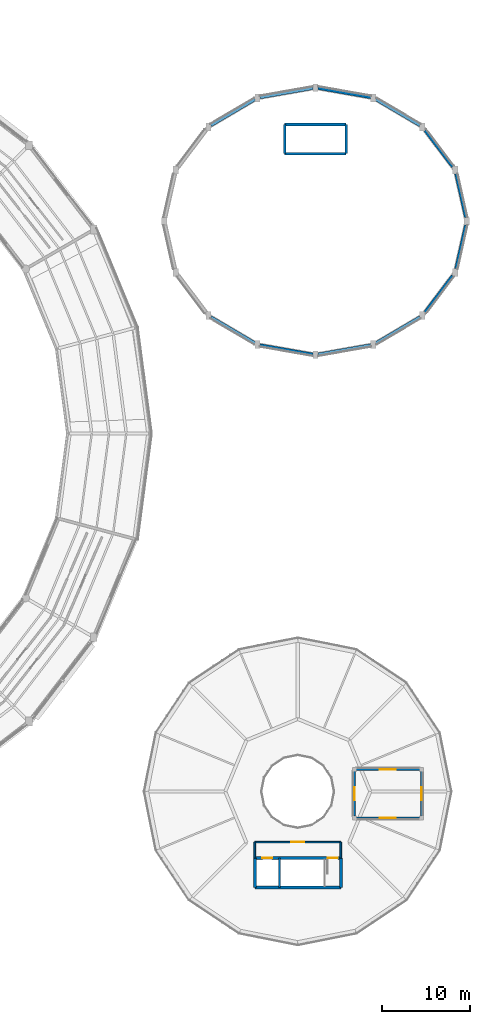
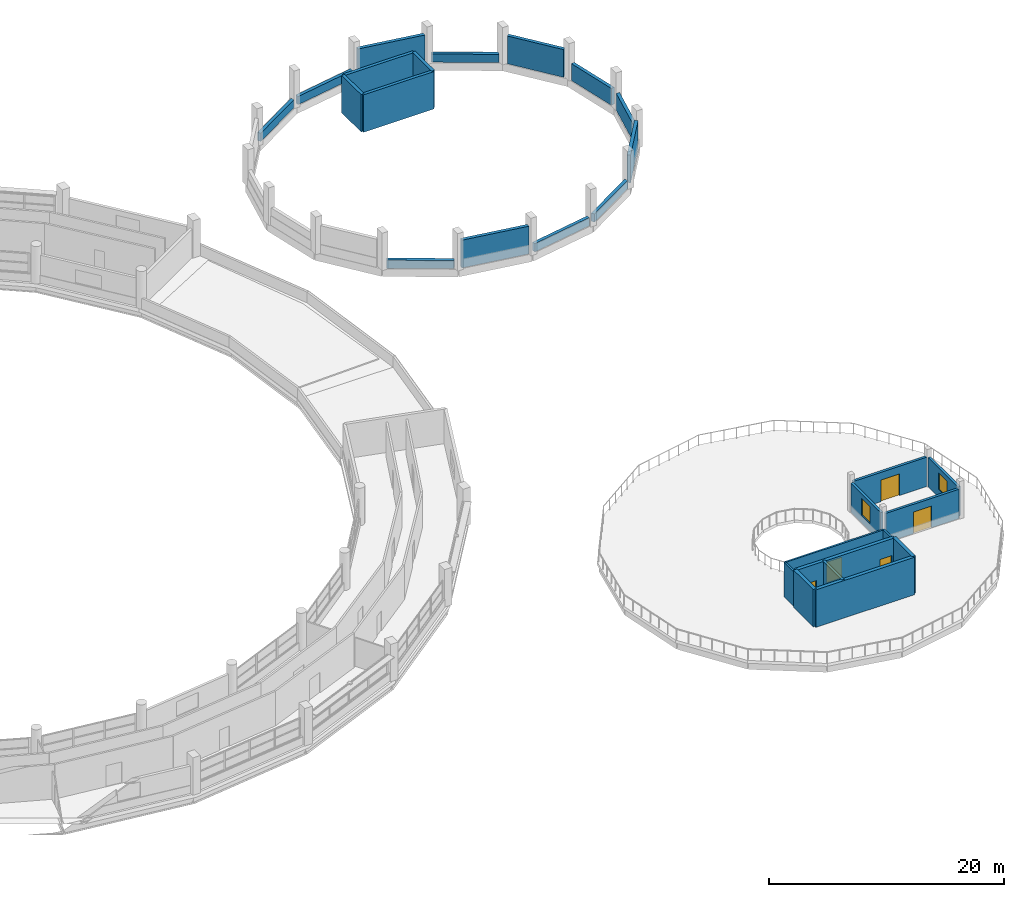
# One storey, part 96 of 108: 28 walls, 5 doors, 2 windows, 7 openings.
"""IFC4 building model written with IfcOpenShell, lengths in metres."""

import ifcopenshell
import ifcopenshell.guid

model = None  # the IFC model being written
_history = None  # IfcOwnerHistory: only IFC2X3 demands one
_inside = {}  # id of a spatial element -> (the spatial element, [elements in it])
_under = {}  # id of a project, library or spatial element -> (it, [spatial elements below it])
_declared = {}  # id of a project -> (the project, [libraries it declares])
_typed = {}  # id of a type object -> (the type object, [elements of that type])
_made_of = {}  # id of a material, layer set ... -> (it, [elements and type objects made of it])


def new_model(schema):
    """Start an empty IFC model of exactly this schema.

    Asked for "IFC4X3", IfcOpenShell would pick the latest addendum, in which some entities
    have other attributes; the version numbers below select the first issue.
    IFC2X3 requires an IfcOwnerHistory on every rooted entity: one is made here for all.
    """
    global model, _history
    if schema == "IFC4X3":
        model = ifcopenshell.file(schema_version=(4, 3, 0, 0))
    else:
        model = ifcopenshell.file(schema=schema)
    _inside.clear()
    _under.clear()
    _declared.clear()
    _typed.clear()
    _made_of.clear()
    _history = None
    if model.schema == "IFC2X3":
        org = make("IfcOrganization", Name="unknown")
        user = make(
            "IfcPersonAndOrganization",
            ThePerson=make("IfcPerson", FamilyName="unknown"),
            TheOrganization=org,
        )
        app = make(
            "IfcApplication",
            ApplicationDeveloper=org,
            Version="unknown",
            ApplicationFullName="unknown",
            ApplicationIdentifier="unknown",
        )
        _history = make(
            "IfcOwnerHistory",
            OwningUser=user,
            OwningApplication=app,
            ChangeAction="ADDED",
            CreationDate=0,
        )
    return model


def make(cls, **values):
    """One entity of the class cls with the attributes given. An attribute that is None is left unset."""
    return model.create_entity(
        cls, **{name: value for name, value in values.items() if value is not None}
    )


def rooted(cls, **values):
    """An entity with a GlobalId (a new one), such as an element, a storey or a relation."""
    return make(cls, GlobalId=ifcopenshell.guid.new(), OwnerHistory=_history, **values)


def si_unit(unit_type, name, prefix=None):
    """IfcSIUnit, for example si_unit("LENGTHUNIT", "METRE", prefix="MILLI")."""
    return make("IfcSIUnit", UnitType=unit_type, Prefix=prefix, Name=name)


def assignment(units):
    """IfcUnitAssignment: the units of a project."""
    return None if units is None else make("IfcUnitAssignment", Units=units)


def point(xyz):
    """IfcCartesianPoint."""
    return None if xyz is None else make("IfcCartesianPoint", Coordinates=xyz)


def direction(xyz):
    """IfcDirection."""
    return None if xyz is None else make("IfcDirection", DirectionRatios=xyz)


def frame(location, z_axis=None, x_axis=None):
    """IfcAxis2Placement3D, a coordinate frame: its origin and axes. An axis left out is left unset."""
    return make(
        "IfcAxis2Placement3D",
        Location=point(location),
        Axis=direction(z_axis),
        RefDirection=direction(x_axis),
    )


def frame_2d(location, x_axis=None):
    """IfcAxis2Placement2D, a coordinate frame in the plane: its origin and x axis."""
    return make(
        "IfcAxis2Placement2D", Location=point(location), RefDirection=direction(x_axis)
    )


def origin():
    """The frame at (0, 0, 0) with its axes left unset."""
    return frame((0.0, 0.0, 0.0))


def place(relative_to, where):
    """IfcLocalPlacement: puts the frame where relative to a parent placement (None: the world)."""
    return make(
        "IfcLocalPlacement", PlacementRelTo=relative_to, RelativePlacement=where
    )


def context(
    kind, dimensions, precision=None, world=None, true_north=None, identifier=None
):
    """IfcGeometricRepresentationContext, for example the 3D "Model" context."""
    return make(
        "IfcGeometricRepresentationContext",
        ContextIdentifier=identifier,
        ContextType=kind,
        CoordinateSpaceDimension=dimensions,
        Precision=precision,
        WorldCoordinateSystem=world,
        TrueNorth=true_north,
    )


def subcontext(parent, identifier, kind, view, scale=None):
    """IfcGeometricRepresentationSubContext, for example "Body" below "Model"."""
    return make(
        "IfcGeometricRepresentationSubContext",
        ContextIdentifier=identifier,
        ContextType=kind,
        ParentContext=parent,
        TargetScale=scale,
        TargetView=view,
    )


def project(units=None, contexts=None):
    """IfcProject with its units and contexts."""
    return rooted(
        "IfcProject",
        Name="project",
        RepresentationContexts=contexts,
        UnitsInContext=assignment(units),
    )


def spatial(cls, under=None, at=None, **own):
    """A site, building, storey or space (cls), placed at a placement, below another one or the project."""
    s = rooted(cls, ObjectPlacement=at, **own)
    if under is not None:
        _under.setdefault(under.id(), (under, []))[1].append(s)
    return s


def profile(cls, at=None, kind="AREA", **sizes):
    """A parametric profile (cls). Its sizes go by their IFC names, for example OverallWidth=200.0."""
    return make(cls, ProfileType=kind, Position=at, **sizes)


def rectangle(**sizes):
    """IfcRectangleProfileDef."""
    return profile("IfcRectangleProfileDef", **sizes)


def extrude(swept, where, along, depth):
    """IfcExtrudedAreaSolid: the profile swept, set in the frame where, extruded along a direction by depth."""
    return make(
        "IfcExtrudedAreaSolid",
        SweptArea=swept,
        Position=where,
        ExtrudedDirection=direction(along),
        Depth=depth,
    )


def shape(context_of_items, identifier, shape_type, items):
    """IfcShapeRepresentation: the items that make up one representation, for example the "Body"."""
    return make(
        "IfcShapeRepresentation",
        ContextOfItems=context_of_items,
        RepresentationIdentifier=identifier,
        RepresentationType=shape_type,
        Items=items,
    )


def material(Name=None, Category=None):
    """IfcMaterial."""
    return make("IfcMaterial", Name=Name, Category=Category)


def layer(
    of_material, thickness, ventilated=None, Name=None, Category=None, Priority=None
):
    """IfcMaterialLayer: one layer of a wall or slab, of a material (None: an air gap)."""
    return make(
        "IfcMaterialLayer",
        Material=of_material,
        LayerThickness=thickness,
        IsVentilated=ventilated,
        Name=Name,
        Category=Category,
        Priority=Priority,
    )


def layer_set(layers, Name=None):
    """IfcMaterialLayerSet."""
    return make("IfcMaterialLayerSet", MaterialLayers=layers, LayerSetName=Name)


def made_of(thing, what):
    """Note that an element or type object is made of a material, layer set ...; save() writes the relation."""
    if what is not None:
        _made_of.setdefault(what.id(), (what, []))[1].append(thing)
    return thing


def type_object(cls, material=None, **own):
    """A type object (cls), such as IfcWallType, which elements share."""
    return made_of(rooted(cls, **own), material)


def element(
    cls,
    number,
    at=None,
    inside=None,
    cuts=None,
    type_object=None,
    material=None,
    context=None,
    identifier="Body",
    shape_type=None,
    held_by="IfcProductDefinitionShape",
    body=None,
    shapes=None,
    **own,
):
    """One element of the class cls, such as IfcWall. Its Tag is "e" and its number.

    at: its placement. inside: the storey or other place that contains it. cuts: it is an
    opening in that element (IfcRelVoidsElement). A single representation is given by context,
    identifier, shape_type and body (its items); several are given by shapes. held_by: the class
    of the entity that holds the representations. save() writes the other relations.
    """
    e = rooted(cls, Tag="e%d" % number, ObjectPlacement=at, **own)
    if body is not None:
        shapes = [shape(context, identifier, shape_type, body)]
    if shapes is not None:
        e.Representation = make(held_by, Representations=shapes)
    if inside is not None:
        _inside.setdefault(inside.id(), (inside, []))[1].append(e)
    if cuts is not None:
        rooted(
            "IfcRelVoidsElement", RelatingBuildingElement=cuts, RelatedOpeningElement=e
        )
    if type_object is not None:
        _typed.setdefault(type_object.id(), (type_object, []))[1].append(e)
    return made_of(e, material)


def fill(opening, filler):
    """IfcRelFillsElement: the door or window that sits in an opening."""
    return rooted(
        "IfcRelFillsElement",
        RelatingOpeningElement=opening,
        RelatedBuildingElement=filler,
    )


def aggregate(whole, parts):
    """IfcRelAggregates: a whole, such as a stair, and the parts it consists of."""
    return rooted("IfcRelAggregates", RelatingObject=whole, RelatedObjects=parts)


def save(model, path):
    """Write the relations noted so far, then the file.

    IfcRelAggregates (storeys below a building ...), IfcRelContainedInSpatialStructure (elements
    in a storey), IfcRelDefinesByType, IfcRelAssociatesMaterial and IfcRelDeclares: one each for
    every whole, place, type object, material and project.
    """
    for whole, parts in _under.values():
        aggregate(whole, parts)
    for where, things in _inside.values():
        rooted(
            "IfcRelContainedInSpatialStructure",
            RelatedElements=things,
            RelatingStructure=where,
        )
    for kind, things in _typed.values():
        rooted("IfcRelDefinesByType", RelatedObjects=things, RelatingType=kind)
    for what, things in _made_of.values():
        rooted("IfcRelAssociatesMaterial", RelatedObjects=things, RelatingMaterial=what)
    for by, libraries in _declared.values():
        rooted("IfcRelDeclares", RelatingContext=by, RelatedDefinitions=libraries)
    model.write(path)


model = new_model("IFC4")

# Units and contexts
model_context = context("Model", 3, precision=1e-05, world=origin(), true_north=direction((0.0, 1.0)))
body_context = subcontext(model_context, "Body", "Model", "MODEL_VIEW")
ifc_project = project(units=[si_unit("LENGTHUNIT", "METRE"), si_unit("AREAUNIT", "SQUARE_METRE"), si_unit("VOLUMEUNIT", "CUBIC_METRE"), si_unit("PLANEANGLEUNIT", "RADIAN"), si_unit("MASSUNIT", "GRAM", prefix="KILO")], contexts=[model_context])

# Site, building, storey
site_placement = place(None, origin())
site = spatial("IfcSite", under=ifc_project, at=site_placement, CompositionType="ELEMENT")
building_placement = place(site_placement, origin())
building = spatial("IfcBuilding", under=site, at=building_placement, Name="Vespera Passage Community Centre", CompositionType="ELEMENT")
storey_placement = place(building_placement, frame((0.0, 0.0, 12.60009765625)))
storey = spatial("IfcBuildingStorey", under=building, at=storey_placement, Name="L03", CompositionType="ELEMENT", Elevation=12.60009765625)

# Walls
ifc_material_1 = material(Name="Concrete f'c 45 MPa", Category="concrete")
ifc_layer_1 = layer(ifc_material_1, 0.300048828125)
ifc_layer_set_1 = layer_set([ifc_layer_1], Name="Concrete f'c 45 MPa")
wall_type_1 = type_object("IfcWallType", Name="WT-CORE-300I", PredefinedType="SHEAR", material=ifc_layer_set_1)
wall_1_placement = place(storey_placement, frame((146.47509765625, 97.14990234375, 0.0), z_axis=(0.0, 0.0, 1.0), x_axis=(-1.0, 0.0, 0.0)))
element("IfcWall", 1, at=wall_1_placement, inside=storey, type_object=wall_type_1, Name="Core C6 L03 Shear Wall FRONT", PredefinedType="SHEAR", context=body_context, shape_type="SweptSolid", body=[
    extrude(rectangle(XDim=6.9501953125, YDim=0.300048828125, at=frame_2d((3.47509765625, 0.0))), origin(), (0.0, 0.0, 1.0), 3.89990234375),
])
wall_2_placement = place(storey_placement, frame((139.52490234375, 97.14990234375, 0.0), z_axis=(0.0, 0.0, 1.0), x_axis=(0.0, 1.0, 0.0)))
element("IfcWall", 2, at=wall_2_placement, inside=storey, type_object=wall_type_1, Name="Core C6 L03 Shear Wall LEFT", PredefinedType="SHEAR", context=body_context, shape_type="SweptSolid", body=[
    extrude(rectangle(XDim=3.300048828125, YDim=0.300048828125, at=frame_2d((1.64990234375, 0.0))), origin(), (0.0, 0.0, 1.0), 3.89990234375),
])
wall_3_placement = place(storey_placement, frame((139.52490234375, 100.449951171875, 0.0), z_axis=(0.0, 0.0, 1.0), x_axis=(1.0, 0.0, 0.0)))
element("IfcWall", 3, at=wall_3_placement, inside=storey, type_object=wall_type_1, Name="Core C6 L03 Shear Wall BACK", PredefinedType="SHEAR", context=body_context, shape_type="SweptSolid", body=[
    extrude(rectangle(XDim=6.9501953125, YDim=0.300048828125, at=frame_2d((3.47509765625, 0.0))), origin(), (0.0, 0.0, 1.0), 3.89990234375),
])
wall_4_placement = place(storey_placement, frame((146.47509765625, 100.449951171875, 0.0), z_axis=(0.0, 0.0, 1.0), x_axis=(0.0, -1.0, 0.0)))
element("IfcWall", 4, at=wall_4_placement, inside=storey, type_object=wall_type_1, Name="Core C6 L03 Shear Wall RIGHT", PredefinedType="SHEAR", context=body_context, shape_type="SweptSolid", body=[
    extrude(rectangle(XDim=3.300048828125, YDim=0.300048828125, at=frame_2d((1.64990234375, 0.0))), origin(), (0.0, 0.0, 1.0), 3.89990234375),
])

# Wall, openings, doors
ifc_material_2 = material(Name="Concrete f'c 45 MPa", Category="concrete")
ifc_layer_2 = layer(ifc_material_2, 0.340087890625)
ifc_layer_set_2 = layer_set([ifc_layer_2], Name="Concrete f'c 45 MPa")
wall_type_2 = type_object("IfcWallType", Name="WT-CORE-340I", PredefinedType="SHEAR", material=ifc_layer_set_2)
wall_5_placement = place(storey_placement, frame((136.135009765625, 17.469970703125, 0.0), z_axis=(0.0, 0.0, 1.0), x_axis=(1.0, 0.0, 0.0)))
wall_5 = element("IfcWall", 5, at=wall_5_placement, inside=storey, type_object=wall_type_2, Name="Core C7 L03 Shear Wall FRONT", PredefinedType="SHEAR", context=body_context, shape_type="SweptSolid", body=[
    extrude(rectangle(XDim=9.72998046875, YDim=0.340087890625, at=frame_2d((4.864990234375, 0.0))), origin(), (0.0, 0.0, 1.0), 3.89990234375),
])
opening_1_placement = place(wall_5_placement, frame((8.264892578125, 0.0, 0.0)))
opening_1 = element("IfcOpeningElement", 6, at=opening_1_placement, cuts=wall_5, Name="Opening DT-STAIR-90", PredefinedType="OPENING", context=body_context, shape_type="SweptSolid", body=[
    extrude(rectangle(XDim=1.14990234375, YDim=2.14990234375, at=frame_2d((0.574951171875, 1.074951171875))), frame((0.0, 0.179931640625, 0.0), z_axis=(0.0, -1.0, 0.0), x_axis=(1.0, 0.0, 0.0)), (0.0, 0.0, 1.0), 0.360107421875),
])
opening_2_placement = place(wall_5_placement, frame((0.8701171875, 0.0, 0.0)))
opening_2 = element("IfcOpeningElement", 7, at=opening_2_placement, cuts=wall_5, Name="Opening DT-LIFT-110", PredefinedType="OPENING", context=body_context, shape_type="SweptSolid", body=[
    extrude(rectangle(XDim=1.10009765625, YDim=2.14990234375, at=frame_2d((0.550048828125, 1.074951171875))), frame((0.0, 0.179931640625, 0.0), z_axis=(0.0, -1.0, 0.0), x_axis=(1.0, 0.0, 0.0)), (0.0, 0.0, 1.0), 0.360107421875),
])
ifc_material_3 = material(Name="Painted hollow-metal acoustic door", Category="steel")
door_type_1 = type_object("IfcDoorType", Name="DT-LIFT-110", OperationType="NOTDEFINED", PredefinedType="DOOR", material=ifc_material_3)
door_1_placement = place(opening_2_placement, origin())
door_1 = element("IfcDoor", 8, at=door_1_placement, inside=storey, type_object=door_type_1, Name="Elevator EL-05 L03 Landing Door LD-030", OperationType="SLIDING_TO_LEFT", OverallHeight=2.14990234375, OverallWidth=1.10009765625, PredefinedType="DOOR", context=body_context, shape_type="SweptSolid", body=[
    extrude(rectangle(XDim=1.10009765625, YDim=2.14990234375, at=frame_2d((0.550048828125, 1.074951171875))), frame((0.0, 0.02490234375, 0.0), z_axis=(0.0, -1.0, 0.0), x_axis=(1.0, 0.0, 0.0)), (0.0, 0.0, 1.0), 0.050048828125),
])
fill(opening_2, door_1)
ifc_material_4 = material(Name="Painted hollow-metal acoustic door", Category="steel")
door_type_2 = type_object("IfcDoorType", Name="DT-STAIR-90", OperationType="NOTDEFINED", PredefinedType="DOOR", material=ifc_material_4)
door_2_placement = place(opening_1_placement, origin())
door_2 = element("IfcDoor", 9, at=door_2_placement, inside=storey, type_object=door_type_2, Name="Core C7 L03 Exit Stair Door D-117", OperationType="SINGLE_SWING_LEFT", OverallHeight=2.14990234375, OverallWidth=1.14990234375, PredefinedType="DOOR", context=body_context, shape_type="SweptSolid", body=[
    extrude(rectangle(XDim=1.14990234375, YDim=2.14990234375, at=frame_2d((0.574951171875, 1.074951171875))), frame((0.0, 0.02490234375, 0.0), z_axis=(0.0, -1.0, 0.0), x_axis=(1.0, 0.0, 0.0)), (0.0, 0.0, 1.0), 0.050048828125),
])
fill(opening_1, door_2)

# Walls
wall_6_placement = place(storey_placement, frame((145.864990234375, 17.469970703125, 0.0), z_axis=(0.0, 0.0, 1.0), x_axis=(0.0, -1.0, 0.0)))
element("IfcWall", 10, at=wall_6_placement, inside=storey, type_object=wall_type_2, Name="Core C7 L03 Shear Wall LEFT", PredefinedType="SHEAR", context=body_context, shape_type="SweptSolid", body=[
    extrude(rectangle(XDim=3.340087890625, YDim=0.340087890625, at=frame_2d((1.669921875, 0.0))), origin(), (0.0, 0.0, 1.0), 3.89990234375),
])
wall_7_placement = place(storey_placement, frame((145.864990234375, 14.1298828125, 0.0), z_axis=(0.0, 0.0, 1.0), x_axis=(-1.0, 0.0, 0.0)))
element("IfcWall", 11, at=wall_7_placement, inside=storey, type_object=wall_type_2, Name="Core C7 L03 Shear Wall BACK", PredefinedType="SHEAR", context=body_context, shape_type="SweptSolid", body=[
    extrude(rectangle(XDim=9.72998046875, YDim=0.340087890625, at=frame_2d((4.864990234375, 0.0))), origin(), (0.0, 0.0, 1.0), 3.89990234375),
])
wall_8_placement = place(storey_placement, frame((136.135009765625, 14.1298828125, 0.0), z_axis=(0.0, 0.0, 1.0), x_axis=(0.0, 1.0, 0.0)))
element("IfcWall", 12, at=wall_8_placement, inside=storey, type_object=wall_type_2, Name="Core C7 L03 Shear Wall RIGHT", PredefinedType="SHEAR", context=body_context, shape_type="SweptSolid", body=[
    extrude(rectangle(XDim=3.340087890625, YDim=0.340087890625, at=frame_2d((1.669921875, 0.0))), origin(), (0.0, 0.0, 1.0), 3.89990234375),
])

# Wall, opening, door
ifc_material_5 = material(Name="Gypsum board acoustic stud partition")
ifc_layer_3 = layer(ifc_material_5, 0.179931640625)
ifc_layer_set_3 = layer_set([ifc_layer_3], Name="Gypsum board acoustic stud partition")
wall_type_3 = type_object("IfcWallType", Name="WT-CORR-180I", PredefinedType="PARTITIONING", material=ifc_layer_set_3)
wall_9_placement = place(storey_placement, frame((145.864990234375, 19.27001953125, 0.0), z_axis=(0.0, 0.0, 1.0), x_axis=(-1.0, 0.0, 0.0)))
wall_9 = element("IfcWall", 13, at=wall_9_placement, inside=storey, type_object=wall_type_3, Name="Core C7 L03 Lift Lobby Front Wall", PredefinedType="PARTITIONING", context=body_context, shape_type="SweptSolid", body=[
    extrude(rectangle(XDim=9.72998046875, YDim=0.179931640625, at=frame_2d((4.864990234375, 0.0))), origin(), (0.0, 0.0, 1.0), 3.594970703125),
])
opening_3_placement = place(wall_9_placement, frame((4.114990234375, 0.0, 0.0)))
opening_3 = element("IfcOpeningElement", 14, at=opening_3_placement, cuts=wall_9, Name="Opening DT-CORR-150", PredefinedType="OPENING", context=body_context, shape_type="SweptSolid", body=[
    extrude(rectangle(XDim=1.5, YDim=2.14990234375, at=frame_2d((0.75, 1.074951171875))), frame((0.0, 0.099853515625, 0.0), z_axis=(0.0, -1.0, 0.0), x_axis=(1.0, 0.0, 0.0)), (0.0, 0.0, 1.0), 0.199951171875),
])
ifc_material_6 = material(Name="Painted hollow-metal acoustic door", Category="steel")
door_type_3 = type_object("IfcDoorType", Name="DT-CORR-150", OperationType="NOTDEFINED", PredefinedType="DOOR", material=ifc_material_6)
door_3_placement = place(opening_3_placement, origin())
door_3 = element("IfcDoor", 15, at=door_3_placement, inside=storey, type_object=door_type_3, Name="Core C7 L03 Lift Lobby Door D-118", OperationType="SINGLE_SWING_RIGHT", OverallHeight=2.14990234375, OverallWidth=1.5, PredefinedType="DOOR", context=body_context, shape_type="SweptSolid", body=[
    extrude(rectangle(XDim=1.5, YDim=2.14990234375, at=frame_2d((0.75, 1.074951171875))), frame((0.0, 0.02490234375, 0.0), z_axis=(0.0, -1.0, 0.0), x_axis=(1.0, 0.0, 0.0)), (0.0, 0.0, 1.0), 0.050048828125),
])
fill(opening_3, door_3)

# Walls
for number, where, z_axis, x_axis, name in (
    (16, (145.864990234375, 17.469970703125, 0.0), (0.0, 0.0, 1.0), (0.0, 1.0, 0.0), "Core C7 L03 Lift Lobby Side Wall L"),
    (17, (136.135009765625, 17.469970703125, 0.0), (0.0, 0.0, 1.0), (0.0, 1.0, 0.0), "Core C7 L03 Lift Lobby Side Wall R"),
):
    element("IfcWall", number, at=place(storey_placement, frame(where, z_axis=z_axis, x_axis=x_axis)), inside=storey, type_object=wall_type_3, Name=name, PredefinedType="PARTITIONING", context=body_context, shape_type="SweptSolid", body=[
        extrude(rectangle(XDim=1.800048828125, YDim=0.179931640625, at=frame_2d((0.89990234375, 0.0))), origin(), (0.0, 0.0, 1.0), 3.594970703125),
    ])
ifc_material_7 = material(Name="Concrete f'c 45 MPa", Category="concrete")
ifc_layer_4 = layer(ifc_material_7, 0.239990234375)
ifc_layer_set_4 = layer_set([ifc_layer_4], Name="Concrete f'c 45 MPa")
wall_type_4 = type_object("IfcWallType", Name="WT-DIV-240I", PredefinedType="SHEAR", material=ifc_layer_set_4)
wall_10_placement = place(storey_placement, frame((138.925048828125, 17.469970703125, 0.0), z_axis=(0.0, 0.0, 1.0), x_axis=(0.0, -1.0, 0.0)))
element("IfcWall", 18, at=wall_10_placement, inside=storey, type_object=wall_type_4, Name="Core C7 L03 Hoistway Divider Wall", PredefinedType="SHEAR", context=body_context, shape_type="SweptSolid", body=[
    extrude(rectangle(XDim=3.340087890625, YDim=0.239990234375, at=frame_2d((1.669921875, 0.0))), origin(), (0.0, 0.0, 1.0), 3.89990234375),
])

# Wall, opening, window
ifc_material_8 = material(Name="Precast concrete f'c 40 MPa", Category="concrete")
ifc_layer_5 = layer(ifc_material_8, 0.25)
ifc_layer_set_5 = layer_set([ifc_layer_5], Name="Precast concrete f'c 40 MPa")
wall_type_5 = type_object("IfcWallType", Name="WT-EXT-250E", PredefinedType="STANDARD", material=ifc_layer_set_5)
wall_11_placement = place(storey_placement, frame((147.39990234375, 22.199951171875, 0.0), z_axis=(0.0, 0.0, 1.0), x_axis=(0.0, 1.0, 0.0)))
wall_11 = element("IfcWall", 19, at=wall_11_placement, inside=storey, type_object=wall_type_5, Name="Roof Garden Conservatory Wall 1", PredefinedType="STANDARD", context=body_context, shape_type="SweptSolid", body=[
    extrude(rectangle(XDim=5.10009765625, YDim=0.25, at=frame_2d((2.550048828125, 0.0))), origin(), (0.0, 0.0, 1.0), 3.0498046875),
])
opening_4_placement = place(wall_11_placement, frame((1.824951171875, 0.0, 0.800048828125)))
opening_4 = element("IfcOpeningElement", 20, at=opening_4_placement, cuts=wall_11, Name="Opening WN-19E", PredefinedType="OPENING", context=body_context, shape_type="SweptSolid", body=[
    extrude(rectangle(XDim=1.449951171875, YDim=1.75, at=frame_2d((0.72509765625, 0.875))), frame((0.0, 0.135009765625, 0.0), z_axis=(0.0, -1.0, 0.0), x_axis=(1.0, 0.0, 0.0)), (0.0, 0.0, 1.0), 0.27001953125),
])
ifc_material_9 = material(Name="Low-E insulated vision glass", Category="glass")
window_type = type_object("IfcWindowType", Name="WN-19E", PartitioningType="SINGLE_PANEL", PredefinedType="WINDOW", material=ifc_material_9)
window_1_placement = place(opening_4_placement, origin())
window_1 = element("IfcWindow", 21, at=window_1_placement, inside=storey, type_object=window_type, Name="Window WN-V3-L03-CONS1", OverallHeight=1.75, OverallWidth=1.449951171875, PartitioningType="SINGLE_PANEL", PredefinedType="WINDOW", context=body_context, shape_type="SweptSolid", body=[
    extrude(rectangle(XDim=1.449951171875, YDim=1.75, at=frame_2d((0.72509765625, 0.875))), frame((0.0, 0.030029296875, 0.0), z_axis=(0.0, -1.0, 0.0), x_axis=(1.0, 0.0, 0.0)), (0.0, 0.0, 1.0), 0.06005859375),
])
fill(opening_4, window_1)

# Wall, opening, door
wall_12_placement = place(storey_placement, frame((147.60009765625, 27.5, 0.0), z_axis=(0.0, 0.0, 1.0), x_axis=(1.0, 0.0, 0.0)))
wall_12 = element("IfcWall", 22, at=wall_12_placement, inside=storey, type_object=wall_type_5, Name="Roof Garden Conservatory Wall 2", PredefinedType="STANDARD", context=body_context, shape_type="SweptSolid", body=[
    extrude(rectangle(XDim=7.199951171875, YDim=0.25, at=frame_2d((3.60009765625, 0.0))), origin(), (0.0, 0.0, 1.0), 3.0498046875),
])
opening_5_placement = place(wall_12_placement, frame((2.699951171875, 0.0, 0.0)))
opening_5 = element("IfcOpeningElement", 23, at=opening_5_placement, cuts=wall_12, Name="Opening DT-E05", PredefinedType="OPENING", context=body_context, shape_type="SweptSolid", body=[
    extrude(rectangle(XDim=1.800048828125, YDim=2.25, at=frame_2d((0.89990234375, 1.125))), frame((0.0, 0.135009765625, 0.0), z_axis=(0.0, -1.0, 0.0), x_axis=(1.0, 0.0, 0.0)), (0.0, 0.0, 1.0), 0.27001953125),
])
ifc_material_10 = material(Name="Anodized aluminium 6063-T6", Category="aluminium")
door_type_4 = type_object("IfcDoorType", Name="DT-E05", OperationType="NOTDEFINED", PredefinedType="DOOR", material=ifc_material_10)
door_4_placement = place(opening_5_placement, origin())
door_4 = element("IfcDoor", 24, at=door_4_placement, inside=storey, type_object=door_type_4, Name="Planted Roof Garden Access Door 1", OperationType="SINGLE_SWING_LEFT", OverallHeight=2.25, OverallWidth=1.800048828125, PredefinedType="DOOR", context=body_context, shape_type="SweptSolid", body=[
    extrude(rectangle(XDim=1.800048828125, YDim=2.25, at=frame_2d((0.89990234375, 1.125))), frame((0.0, 0.02490234375, 0.0), z_axis=(0.0, -1.0, 0.0), x_axis=(1.0, 0.0, 0.0)), (0.0, 0.0, 1.0), 0.050048828125),
])
fill(opening_5, door_4)

# Wall, opening, window
wall_13_placement = place(storey_placement, frame((155.0, 27.300048828125, 0.0), z_axis=(0.0, 0.0, 1.0), x_axis=(0.0, -1.0, 0.0)))
wall_13 = element("IfcWall", 25, at=wall_13_placement, inside=storey, type_object=wall_type_5, Name="Roof Garden Conservatory Wall 3", PredefinedType="STANDARD", context=body_context, shape_type="SweptSolid", body=[
    extrude(rectangle(XDim=5.10009765625, YDim=0.25, at=frame_2d((2.550048828125, 0.0))), origin(), (0.0, 0.0, 1.0), 3.0498046875),
])
opening_6_placement = place(wall_13_placement, frame((1.824951171875, 0.0, 0.800048828125)))
opening_6 = element("IfcOpeningElement", 26, at=opening_6_placement, cuts=wall_13, Name="Opening WN-19E", PredefinedType="OPENING", context=body_context, shape_type="SweptSolid", body=[
    extrude(rectangle(XDim=1.449951171875, YDim=1.75, at=frame_2d((0.72509765625, 0.875))), frame((0.0, 0.135009765625, 0.0), z_axis=(0.0, -1.0, 0.0), x_axis=(1.0, 0.0, 0.0)), (0.0, 0.0, 1.0), 0.27001953125),
])
window_2_placement = place(opening_6_placement, origin())
window_2 = element("IfcWindow", 27, at=window_2_placement, inside=storey, type_object=window_type, Name="Window WN-V3-L03-CONS3", OverallHeight=1.75, OverallWidth=1.449951171875, PartitioningType="SINGLE_PANEL", PredefinedType="WINDOW", context=body_context, shape_type="SweptSolid", body=[
    extrude(rectangle(XDim=1.449951171875, YDim=1.75, at=frame_2d((0.72509765625, 0.875))), frame((0.0, 0.030029296875, 0.0), z_axis=(0.0, -1.0, 0.0), x_axis=(1.0, 0.0, 0.0)), (0.0, 0.0, 1.0), 0.06005859375),
])
fill(opening_6, window_2)

# Wall, opening, door
wall_14_placement = place(storey_placement, frame((154.800048828125, 22.0, 0.0), z_axis=(0.0, 0.0, 1.0), x_axis=(-1.0, 0.0, 0.0)))
wall_14 = element("IfcWall", 28, at=wall_14_placement, inside=storey, type_object=wall_type_5, Name="Roof Garden Conservatory Wall 4", PredefinedType="STANDARD", context=body_context, shape_type="SweptSolid", body=[
    extrude(rectangle(XDim=7.199951171875, YDim=0.25, at=frame_2d((3.60009765625, 0.0))), origin(), (0.0, 0.0, 1.0), 3.0498046875),
])
opening_7_placement = place(wall_14_placement, frame((2.699951171875, 0.0, 0.0)))
opening_7 = element("IfcOpeningElement", 29, at=opening_7_placement, cuts=wall_14, Name="Opening DT-E05", PredefinedType="OPENING", context=body_context, shape_type="SweptSolid", body=[
    extrude(rectangle(XDim=1.800048828125, YDim=2.25, at=frame_2d((0.89990234375, 1.125))), frame((0.0, 0.135009765625, 0.0), z_axis=(0.0, -1.0, 0.0), x_axis=(1.0, 0.0, 0.0)), (0.0, 0.0, 1.0), 0.27001953125),
])
door_5_placement = place(opening_7_placement, origin())
door_5 = element("IfcDoor", 30, at=door_5_placement, inside=storey, type_object=door_type_4, Name="Planted Roof Garden Access Door 3", OperationType="SINGLE_SWING_RIGHT", OverallHeight=2.25, OverallWidth=1.800048828125, PredefinedType="DOOR", context=body_context, shape_type="SweptSolid", body=[
    extrude(rectangle(XDim=1.800048828125, YDim=2.25, at=frame_2d((0.89990234375, 1.125))), frame((0.0, 0.02490234375, 0.0), z_axis=(0.0, -1.0, 0.0), x_axis=(1.0, 0.0, 0.0)), (0.0, 0.0, 1.0), 0.050048828125),
])
fill(opening_7, door_5)

# Walls
ifc_material_11 = material(Name="Precast concrete f'c 40 MPa", Category="concrete")
ifc_layer_6 = layer(ifc_material_11, 0.320068359375)
ifc_layer_set_6 = layer_set([ifc_layer_6], Name="Precast concrete f'c 40 MPa")
wall_type_6 = type_object("IfcWallType", Name="WT-EXT-320E", PredefinedType="STANDARD", material=ifc_layer_set_6)
wall_15_placement = place(storey_placement, frame((158.894287109375, 94.852783203125, 0.0), z_axis=(0.0, 0.0, 1.0), x_axis=(0.219744533343, -0.97555745093, 0.0)))
element("IfcWall", 31, at=wall_15_placement, inside=storey, type_object=wall_type_6, Name="V2 L03 Facade Wall 1", PredefinedType="STANDARD", context=body_context, shape_type="SweptSolid", body=[
    extrude(rectangle(XDim=5.05078125, YDim=0.320068359375, at=frame_2d((2.525390625, 0.0))), origin(), (0.0, 0.0, 1.0), 1.75048828125),
])
wall_16_placement = place(storey_placement, frame((155.37646484375, 99.80078125, 0.0), z_axis=(0.0, 0.0, 1.0), x_axis=(0.603398282319, -0.797439974477, 0.0)))
element("IfcWall", 32, at=wall_16_placement, inside=storey, type_object=wall_type_6, Name="V2 L03 Facade Wall 2", PredefinedType="STANDARD", context=body_context, shape_type="SweptSolid", body=[
    extrude(rectangle(XDim=5.19873046875, YDim=0.320068359375, at=frame_2d((2.599365234375, 0.0))), origin(), (0.0, 0.0, 1.0), 2.885009765625),
])
wall_17_placement = place(storey_placement, frame((149.822509765625, 103.286376953125, 0.0), z_axis=(0.0, 0.0, 1.0), x_axis=(0.861235880181, -0.508205429614, 0.0)))
element("IfcWall", 33, at=wall_17_placement, inside=storey, type_object=wall_type_6, Name="V2 L03 Spandrel 3", PredefinedType="STANDARD", context=body_context, shape_type="SweptSolid", body=[
    extrude(rectangle(XDim=5.79443359375, YDim=0.320068359375, at=frame_2d((2.897216796875, 0.0))), origin(), (0.0, 0.0, 1.0), 0.849853515625),
])
wall_18_placement = place(storey_placement, frame((143.275390625, 104.551513671875, 0.0), z_axis=(0.0, 0.0, 1.0), x_axis=(0.984927418504, -0.172968148166, 0.0)))
element("IfcWall", 34, at=wall_18_placement, inside=storey, type_object=wall_type_6, Name="V2 L03 Facade Wall 4", PredefinedType="STANDARD", context=body_context, shape_type="SweptSolid", body=[
    extrude(rectangle(XDim=6.0849609375, YDim=0.320068359375, at=frame_2d((3.04248046875, 0.0))), origin(), (0.0, 0.0, 1.0), 2.885009765625),
])
wall_19_placement = place(storey_placement, frame((136.7314453125, 103.4990234375, 0.0), z_axis=(0.0, 0.0, 1.0), x_axis=(0.984927418504, 0.172968148166, 0.0)))
element("IfcWall", 35, at=wall_19_placement, inside=storey, type_object=wall_type_6, Name="V2 L03 Spandrel 5", PredefinedType="STANDARD", context=body_context, shape_type="SweptSolid", body=[
    extrude(rectangle(XDim=6.0849609375, YDim=0.320068359375, at=frame_2d((3.04248046875, 0.0))), origin(), (0.0, 0.0, 1.0), 0.849853515625),
])
for number, where, z_axis, x_axis, name in (
    (36, (131.18701171875, 100.341552734375, 0.0), (0.0, 0.0, 1.0), (0.861235880181, 0.508205429614, 0.0), "V2 L03 Spandrel 6"),
    (37, (136.177490234375, 75.713623046875, 0.0), (0.0, 0.0, 1.0), (-0.861235880181, 0.508205429614, 0.0), "V2 L03 Spandrel 11"),
):
    element("IfcWall", number, at=place(storey_placement, frame(where, z_axis=z_axis, x_axis=x_axis)), inside=storey, type_object=wall_type_6, Name=name, PredefinedType="STANDARD", context=body_context, shape_type="SweptSolid", body=[
        extrude(rectangle(XDim=5.79443359375, YDim=0.320068359375, at=frame_2d((2.897216796875, 0.0))), origin(), (0.0, 0.0, 1.0), 0.849853515625),
    ])
wall_20_placement = place(storey_placement, frame((142.724609375, 74.448486328125, 0.0), z_axis=(0.0, 0.0, 1.0), x_axis=(-0.984927418504, 0.172968148166, 0.0)))
element("IfcWall", 38, at=wall_20_placement, inside=storey, type_object=wall_type_6, Name="V2 L03 Facade Wall 12", PredefinedType="STANDARD", context=body_context, shape_type="SweptSolid", body=[
    extrude(rectangle(XDim=6.0849609375, YDim=0.320068359375, at=frame_2d((3.04248046875, 0.0))), origin(), (0.0, 0.0, 1.0), 2.885009765625),
])
wall_21_placement = place(storey_placement, frame((149.2685546875, 75.5009765625, 0.0), z_axis=(0.0, 0.0, 1.0), x_axis=(-0.984927418504, -0.172968148166, 0.0)))
element("IfcWall", 39, at=wall_21_placement, inside=storey, type_object=wall_type_6, Name="V2 L03 Spandrel 13", PredefinedType="STANDARD", context=body_context, shape_type="SweptSolid", body=[
    extrude(rectangle(XDim=6.0849609375, YDim=0.320068359375, at=frame_2d((3.04248046875, 0.0))), origin(), (0.0, 0.0, 1.0), 0.849853515625),
])
wall_22_placement = place(storey_placement, frame((154.81298828125, 78.658447265625, 0.0), z_axis=(0.0, 0.0, 1.0), x_axis=(-0.861235880181, -0.508205429614, 0.0)))
element("IfcWall", 40, at=wall_22_placement, inside=storey, type_object=wall_type_6, Name="V2 L03 Spandrel 14", PredefinedType="STANDARD", context=body_context, shape_type="SweptSolid", body=[
    extrude(rectangle(XDim=5.79443359375, YDim=0.320068359375, at=frame_2d((2.897216796875, 0.0))), origin(), (0.0, 0.0, 1.0), 0.849853515625),
])
wall_23_placement = place(storey_placement, frame((158.513427734375, 83.344970703125, 0.0), z_axis=(0.0, 0.0, 1.0), x_axis=(-0.603398282319, -0.797439974477, 0.0)))
element("IfcWall", 41, at=wall_23_placement, inside=storey, type_object=wall_type_6, Name="V2 L03 Facade Wall 15", PredefinedType="STANDARD", context=body_context, shape_type="SweptSolid", body=[
    extrude(rectangle(XDim=5.19873046875, YDim=0.320068359375, at=frame_2d((2.599365234375, 0.0))), origin(), (0.0, 0.0, 1.0), 2.885009765625),
])
wall_24_placement = place(storey_placement, frame((160.004150390625, 89.074462890625, 0.0), z_axis=(0.0, 0.0, 1.0), x_axis=(-0.219744533343, -0.97555745093, 0.0)))
element("IfcWall", 42, at=wall_24_placement, inside=storey, type_object=wall_type_6, Name="V2 L03 Facade Wall 16", PredefinedType="STANDARD", context=body_context, shape_type="SweptSolid", body=[
    extrude(rectangle(XDim=5.05078125, YDim=0.320068359375, at=frame_2d((2.525390625, 0.0))), origin(), (0.0, 0.0, 1.0), 1.75048828125),
])

save(model, "model.ifc")
